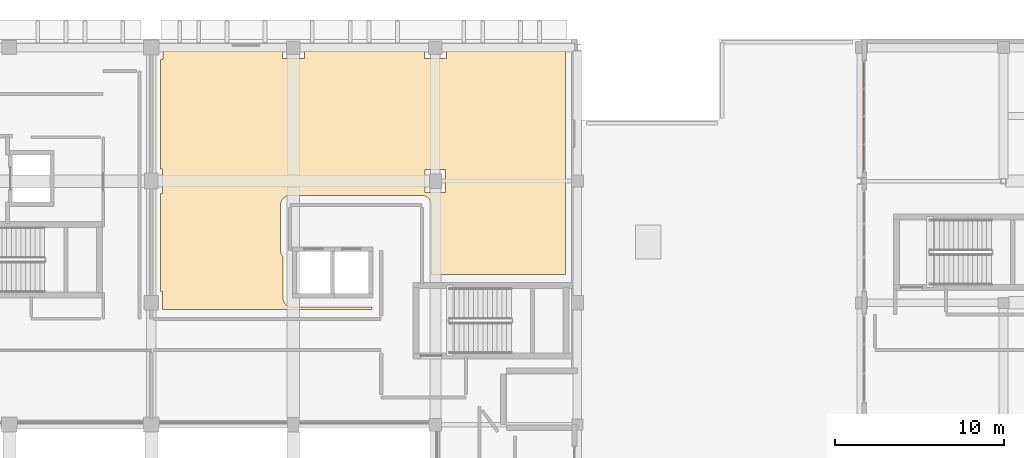
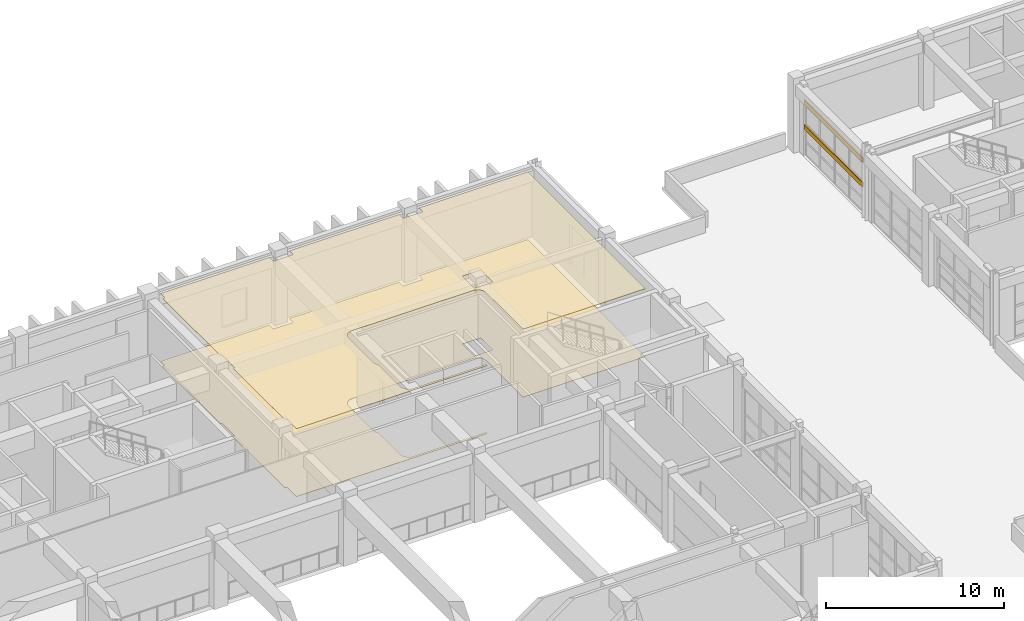
# One storey, part 76 of 78: 2 coverings, 2 shading devices.
"""IFC4 building model written with IfcOpenShell, lengths in metres."""

from ifc_helpers import new_model, si_unit, direction, frame, origin, origin_2d, place, context, subcontext, project, spatial, polyline, hollow_rectangle, outline, extrude, material, layer, layer_set, material_profile, profile_set, type_object, element, save


model = new_model("IFC4")

# Units and contexts
model_context = context("Model", 3, precision=1e-05, world=origin(), true_north=direction((0.0, 1.0)))
body_context = subcontext(model_context, "Body", "Model", "MODEL_VIEW")
ifc_project = project(units=[si_unit("LENGTHUNIT", "METRE"), si_unit("AREAUNIT", "SQUARE_METRE"), si_unit("VOLUMEUNIT", "CUBIC_METRE"), si_unit("PLANEANGLEUNIT", "RADIAN"), si_unit("MASSUNIT", "GRAM", prefix="KILO")], contexts=[model_context])

# Site, building, storey
site_placement = place(None, origin())
site = spatial("IfcSite", under=ifc_project, at=site_placement, CompositionType="ELEMENT")
building_placement = place(site_placement, origin())
building = spatial("IfcBuilding", under=site, at=building_placement, Name="Quendrovan Civic Courthouse", CompositionType="ELEMENT")
storey_placement = place(building_placement, frame((0.0, 0.0, 10.199951171875)))
storey = spatial("IfcBuildingStorey", under=building, at=storey_placement, Name="L03", CompositionType="ELEMENT", Elevation=10.199951171875)

# Coverings
ifc_material_1 = material(Name="Perforated Western Red Cedar and mineral acoustic ceiling")
ifc_layer_1 = layer(ifc_material_1, 0.034912109375, Name="Perforated Western Red Cedar and mineral acoustic ceiling")
ifc_layer_set_1 = layer_set([ifc_layer_1], Name="Perforated Western Red Cedar and mineral acoustic ceiling")
covering_type_1 = type_object("IfcCoveringType", Name="COV-CEIL-ACOUSTIC", PredefinedType="CEILING", material=ifc_layer_set_1)
covering_1_placement = place(storey_placement, frame((0.0, 0.0, 4.64501953125)))
element("IfcCovering", 1, at=covering_1_placement, inside=storey, type_object=covering_type_1, Name="L03 Civil Courtroom Acoustic Ceiling", PredefinedType="CEILING", context=body_context, shape_type="SweptSolid", body=[
    extrude(outline(polyline([(83.747314453125, 100.65380859375), (83.739501953125, 100.707275390625), (83.726318359375, 100.759765625), (83.7080078125, 100.810546875), (83.68505859375, 100.859375), (83.6572265625, 100.905517578125), (83.625244140625, 100.948974609375), (83.5888671875, 100.989013671875), (83.548828125, 101.025146484375), (83.505615234375, 101.057373046875), (83.459228515625, 101.085205078125), (83.410400390625, 101.108154296875), (83.359619140625, 101.126220703125), (83.307373046875, 101.139404296875), (83.25390625, 101.1474609375), (83.199951171875, 101.14990234375), (75.39990234375, 101.14990234375), (75.34619140625, 101.1474609375), (75.292724609375, 101.139404296875), (75.240234375, 101.126220703125), (75.189453125, 101.108154296875), (75.140625, 101.085205078125), (75.094482421875, 101.057373046875), (75.051025390625, 101.025146484375), (75.010986328125, 100.989013671875), (74.974853515625, 100.948974609375), (74.942626953125, 100.905517578125), (74.914794921875, 100.859375), (74.891845703125, 100.810546875), (74.873779296875, 100.759765625), (74.860595703125, 100.707275390625), (74.8525390625, 100.65380859375), (74.85009765625, 100.60009765625), (74.85009765625, 97.89990234375), (74.8525390625, 97.84619140625), (74.860595703125, 97.792724609375), (74.873779296875, 97.740234375), (74.891845703125, 97.689453125), (74.914794921875, 97.640625), (74.942626953125, 97.594482421875), (74.974853515625, 97.551025390625), (74.989990234375, 97.534423828125), (74.989990234375, 95.090087890625), (74.99267578125, 95.0361328125), (75.00048828125, 94.982666015625), (75.013671875, 94.930419921875), (75.031982421875, 94.87939453125), (75.054931640625, 94.830810546875), (75.082763671875, 94.784423828125), (75.11474609375, 94.7412109375), (75.151123046875, 94.701171875), (75.191162109375, 94.664794921875), (75.234375, 94.6328125), (75.28076171875, 94.60498046875), (75.32958984375, 94.581787109375), (75.38037109375, 94.563720703125), (75.4326171875, 94.550537109375), (75.486083984375, 94.54248046875), (75.5400390625, 94.5400390625), (80.25, 94.5400390625), (80.25, 94.39990234375), (67.875, 94.39990234375), (67.875, 95.47509765625), (67.75, 95.47509765625), (67.75, 101.27490234375), (67.85009765625, 101.27490234375), (67.85009765625, 102.72509765625), (67.75, 102.72509765625), (67.75, 109.199951171875), (67.89990234375, 109.199951171875), (67.89990234375, 109.68994140625), (74.949951171875, 109.68994140625), (74.949951171875, 109.25), (76.25, 109.25), (76.25, 109.68994140625), (83.35009765625, 109.68994140625), (83.35009765625, 109.25), (84.64990234375, 109.25), (84.64990234375, 109.68994140625), (91.68994140625, 109.68994140625), (91.68994140625, 96.469970703125), (83.75, 96.469970703125), (83.75, 100.60009765625), (83.747314453125, 100.65380859375)]), holes=[polyline([(83.39990234375, 101.324951171875), (84.60009765625, 101.324951171875), (84.60009765625, 102.675048828125), (83.39990234375, 102.675048828125), (83.39990234375, 101.324951171875)])]), origin(), (0.0, 0.0, 1.0), 0.034912109375),
])
ifc_material_2 = material(Name="Solid oak courtroom parquet flooring")
ifc_layer_2 = layer(ifc_material_2, 0.02490234375, Name="Solid oak courtroom parquet flooring")
ifc_layer_set_2 = layer_set([ifc_layer_2], Name="Solid oak courtroom parquet flooring")
covering_type_2 = type_object("IfcCoveringType", Name="COV-FLOR-TIMBER", PredefinedType="FLOORING", material=ifc_layer_set_2)
covering_2_placement = place(storey_placement, origin())
element("IfcCovering", 2, at=covering_2_placement, inside=storey, type_object=covering_type_2, Name="L03 Civil Courtroom Finish Flooring", PredefinedType="FLOORING", context=body_context, shape_type="SweptSolid", body=[
    extrude(outline(polyline([(83.747314453125, 100.65380859375), (83.739501953125, 100.707275390625), (83.726318359375, 100.759765625), (83.7080078125, 100.810546875), (83.68505859375, 100.859375), (83.6572265625, 100.905517578125), (83.625244140625, 100.948974609375), (83.5888671875, 100.989013671875), (83.548828125, 101.025146484375), (83.505615234375, 101.057373046875), (83.459228515625, 101.085205078125), (83.410400390625, 101.108154296875), (83.359619140625, 101.126220703125), (83.307373046875, 101.139404296875), (83.25390625, 101.1474609375), (83.199951171875, 101.14990234375), (75.39990234375, 101.14990234375), (75.34619140625, 101.1474609375), (75.292724609375, 101.139404296875), (75.240234375, 101.126220703125), (75.189453125, 101.108154296875), (75.140625, 101.085205078125), (75.094482421875, 101.057373046875), (75.051025390625, 101.025146484375), (75.010986328125, 100.989013671875), (74.974853515625, 100.948974609375), (74.942626953125, 100.905517578125), (74.914794921875, 100.859375), (74.891845703125, 100.810546875), (74.873779296875, 100.759765625), (74.860595703125, 100.707275390625), (74.8525390625, 100.65380859375), (74.85009765625, 100.60009765625), (74.85009765625, 97.89990234375), (74.8525390625, 97.84619140625), (74.860595703125, 97.792724609375), (74.873779296875, 97.740234375), (74.891845703125, 97.689453125), (74.914794921875, 97.640625), (74.942626953125, 97.594482421875), (74.974853515625, 97.551025390625), (74.989990234375, 97.534423828125), (74.989990234375, 95.090087890625), (74.99267578125, 95.0361328125), (75.00048828125, 94.982666015625), (75.013671875, 94.930419921875), (75.031982421875, 94.87939453125), (75.054931640625, 94.830810546875), (75.082763671875, 94.784423828125), (75.11474609375, 94.7412109375), (75.151123046875, 94.701171875), (75.191162109375, 94.664794921875), (75.234375, 94.6328125), (75.28076171875, 94.60498046875), (75.32958984375, 94.581787109375), (75.38037109375, 94.563720703125), (75.4326171875, 94.550537109375), (75.486083984375, 94.54248046875), (75.5400390625, 94.5400390625), (80.25, 94.5400390625), (80.25, 94.39990234375), (67.875, 94.39990234375), (67.875, 95.47509765625), (67.75, 95.47509765625), (67.75, 101.27490234375), (67.85009765625, 101.27490234375), (67.85009765625, 102.72509765625), (67.75, 102.72509765625), (67.75, 109.199951171875), (67.89990234375, 109.199951171875), (67.89990234375, 109.68994140625), (74.949951171875, 109.68994140625), (74.949951171875, 109.25), (76.25, 109.25), (76.25, 109.68994140625), (83.35009765625, 109.68994140625), (83.35009765625, 109.25), (84.64990234375, 109.25), (84.64990234375, 109.68994140625), (91.68994140625, 109.68994140625), (91.68994140625, 96.469970703125), (83.75, 96.469970703125), (83.75, 100.60009765625), (83.747314453125, 100.65380859375)]), holes=[polyline([(83.39990234375, 101.324951171875), (84.60009765625, 101.324951171875), (84.60009765625, 102.675048828125), (83.39990234375, 102.675048828125), (83.39990234375, 101.324951171875)])]), origin(), (0.0, 0.0, 1.0), 0.025146484375),
])

# Shading devices
ifc_material_3 = material(Name="Bronze anodised aluminium", Category="aluminium")
ifc_material_profile = material_profile(ifc_material_3, hollow_rectangle(XDim=0.06494140625, YDim=0.320068359375, WallThickness=0.0048828125, at=origin_2d()), Name="AL-LOUVRE-65x320")
ifc_profile_set = profile_set([ifc_material_profile], Name="Bronze anodised aluminium")
shading_device_type = type_object("IfcShadingDeviceType", Name="SHD-STORM-LOUVRE", PredefinedType="JALOUSIE", material=ifc_profile_set)
for number, where, z_axis, x_axis, name in (
    (3, (109.284912109375, 102.537109375, 1.949951171875), (0.0, 1.0, 0.0), (-1.0, 0.0, 0.0), "L03 Bronze Hurricane Storm Louvre SLV-143"),
    (4, (109.284912109375, 102.537109375, 3.650146484375), (0.0, 1.0, 0.0), (-1.0, 0.0, 0.0), "L03 Bronze Hurricane Storm Louvre SLV-144"),
):
    element("IfcShadingDevice", number, at=place(storey_placement, frame(where, z_axis=z_axis, x_axis=x_axis)), inside=storey, type_object=shading_device_type, Name=name, PredefinedType="JALOUSIE", context=body_context, shape_type="SweptSolid", body=[
        extrude(hollow_rectangle(XDim=0.06494140625, YDim=0.320068359375, WallThickness=0.0048828125, at=origin_2d()), origin(), (0.0, 0.0, 1.0), 6.56298828125),
    ])

save(model, "model.ifc")
